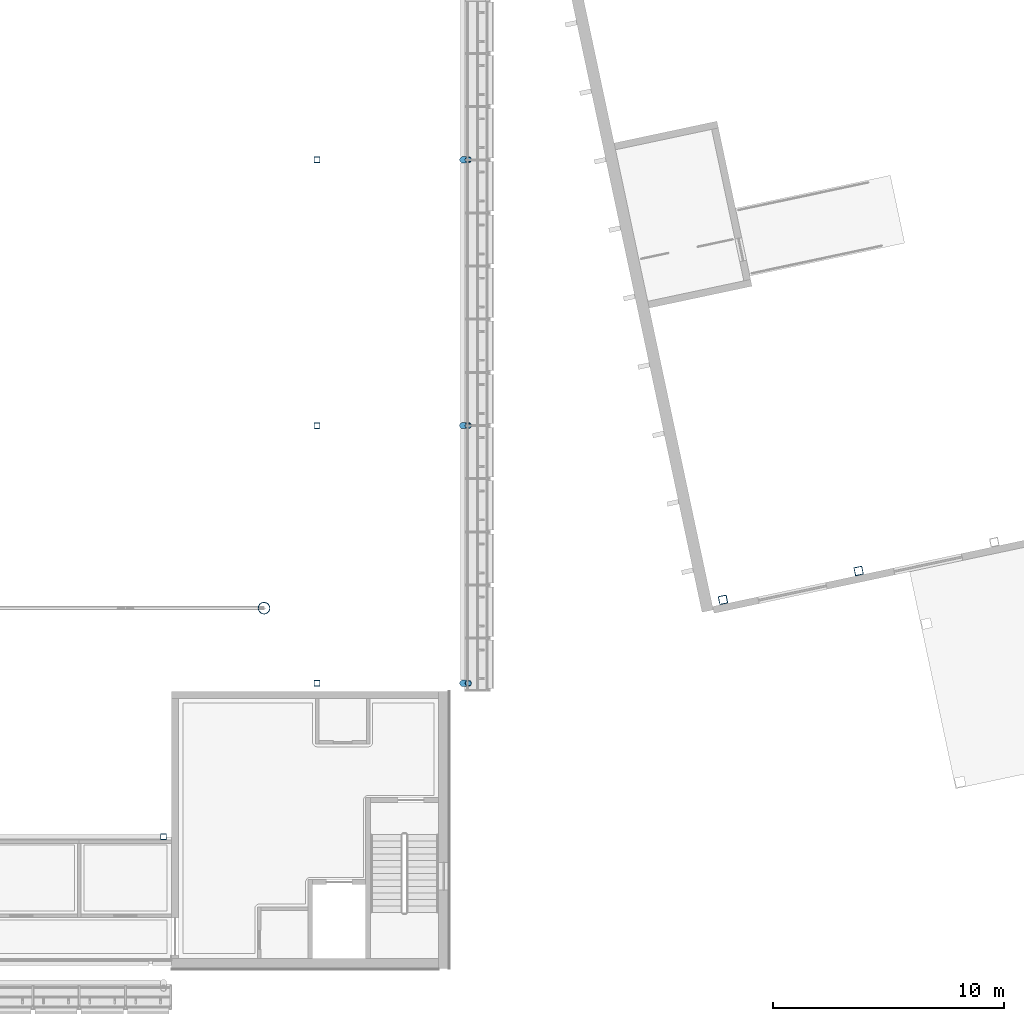
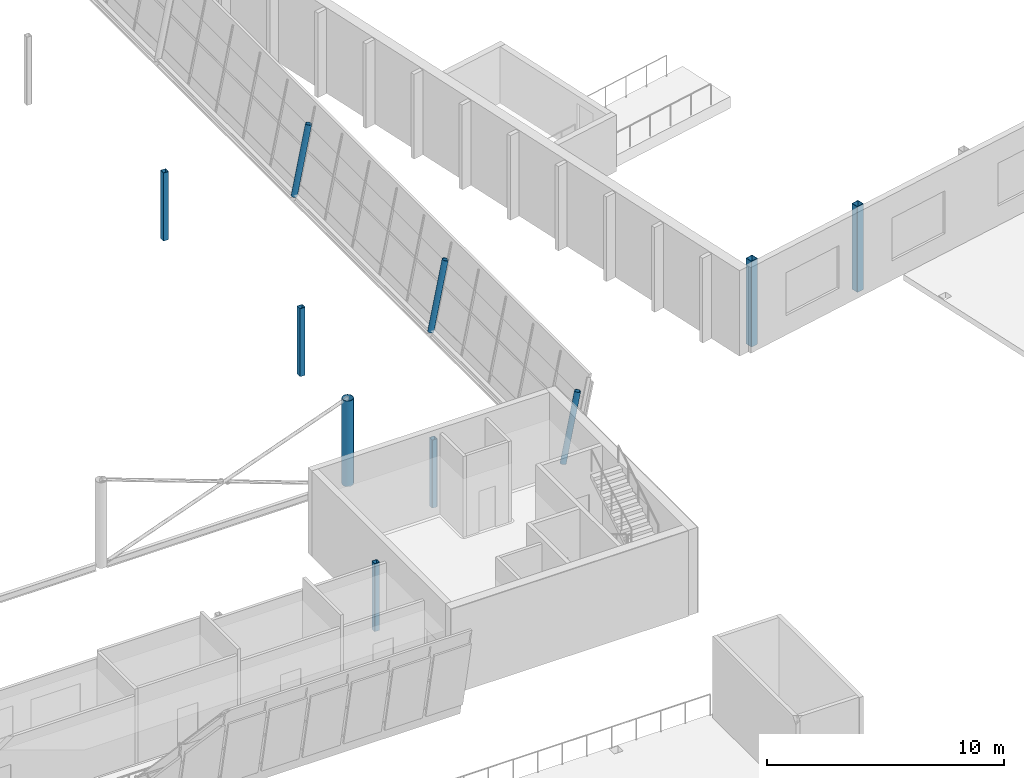
# One storey, part 12 of 95: 10 columns.
"""IFC4 building model written with IfcOpenShell, lengths in metres."""

from ifc_helpers import new_model, si_unit, direction, frame, origin, origin_2d, place, context, subcontext, project, spatial, hollow_rectangle, hollow_circle, extrude, material, material_profile, profile_set, type_object, element, save


model = new_model("IFC4")

# Units and contexts
model_context = context("Model", 3, precision=1e-05, world=origin(), true_north=direction((0.0, 1.0)))
body_context = subcontext(model_context, "Body", "Model", "MODEL_VIEW")
ifc_project = project(units=[si_unit("LENGTHUNIT", "METRE"), si_unit("AREAUNIT", "SQUARE_METRE"), si_unit("VOLUMEUNIT", "CUBIC_METRE"), si_unit("PLANEANGLEUNIT", "RADIAN"), si_unit("MASSUNIT", "GRAM", prefix="KILO")], contexts=[model_context])

# Site, building, storey
site_placement = place(None, origin())
site = spatial("IfcSite", under=ifc_project, at=site_placement, CompositionType="ELEMENT")
building_placement = place(site_placement, origin())
building = spatial("IfcBuilding", under=site, at=building_placement, Name="Windward Yard Aquatics Centre", CompositionType="ELEMENT")
storey_placement = place(building_placement, frame((0.0, 0.0, 9.39990234375)))
storey = spatial("IfcBuildingStorey", under=building, at=storey_placement, Name="L02", CompositionType="ELEMENT", Elevation=9.39990234375)

# Columns
ifc_material = material(Name="Steel ASTM A500 Gr C", Category="steel")
ifc_material_profile_1 = material_profile(ifc_material, hollow_rectangle(XDim=0.355712890625, YDim=0.355712890625, WallThickness=0.015869140625, InnerFilletRadius=0.008056640625, OuterFilletRadius=0.02392578125, at=origin_2d()), Name="HSS356X356X15.9")
ifc_profile_set_1 = profile_set([ifc_material_profile_1], Name="Steel ASTM A500 Gr C")
column_type_1 = type_object("IfcColumnType", Name="D column HSS356X356X15.9", PredefinedType="COLUMN", material=ifc_profile_set_1)
for number, where, z_axis, x_axis, name in (
    (1, (163.857177734375, 41.961669921875, 0.0), (0.0, 0.0, 1.0), (0.978147600734, 0.207911690818, 0.0), "D.COL.1.1.4"),
    (2, (169.72607421875, 43.208984375, 0.0), (0.0, 0.0, 1.0), (0.978147600734, 0.207911690818, 0.0), "D.COL.2.1.4"),
):
    element("IfcColumn", number, at=place(storey_placement, frame(where, z_axis=z_axis, x_axis=x_axis)), inside=storey, type_object=column_type_1, Name=name, PredefinedType="COLUMN", context=body_context, shape_type="SweptSolid", body=[
        extrude(hollow_rectangle(XDim=0.355712890625, YDim=0.355712890625, WallThickness=0.015869140625, InnerFilletRadius=0.008056640625, OuterFilletRadius=0.02392578125, at=origin_2d()), origin(), (0.0, 0.0, 1.0), 4.400146484375),
    ])
ifc_material_profile_2 = material_profile(ifc_material, hollow_circle(Radius=0.25390625, WallThickness=0.015869140625, at=origin_2d()), Name="HSS508X15.9")
ifc_profile_set_2 = profile_set([ifc_material_profile_2], Name="Steel ASTM A500 Gr C")
column_type_2 = type_object("IfcColumnType", Name="H arch column HSS508X15.9", PredefinedType="COLUMN", material=ifc_profile_set_2)
column_placement = place(storey_placement, frame((144.0, 41.60009765625, 0.0), z_axis=(0.0, 0.0, 1.0), x_axis=(1.0, 0.0, 0.0)))
element("IfcColumn", 3, at=column_placement, inside=storey, type_object=column_type_2, Name="H.AC.S8.L02", PredefinedType="COLUMN", context=body_context, shape_type="SweptSolid", body=[
    extrude(hollow_circle(Radius=0.25390625, WallThickness=0.015869140625, at=origin_2d()), origin(), (0.0, 0.0, 1.0), 4.400146484375),
])
ifc_material_profile_3 = material_profile(ifc_material, hollow_rectangle(XDim=0.25390625, YDim=0.25390625, WallThickness=0.015869140625, InnerFilletRadius=0.008056640625, OuterFilletRadius=0.02392578125, at=origin_2d()), Name="HSS254X254X15.9")
ifc_profile_set_3 = profile_set([ifc_material_profile_3], Name="Steel ASTM A500 Gr C")
column_type_3 = type_object("IfcColumnType", Name="H inner column HSS254X254X15.9", PredefinedType="COLUMN", material=ifc_profile_set_3)
for number, where, z_axis, x_axis, name in (
    (4, (139.64990234375, 31.709716796875, 0.0), (0.0, 0.0, 1.0), (1.0, 0.0, 0.0), "H.IC.S8.L02"),
    (5, (146.290283203125, 38.35009765625, 0.0), (0.0, 0.0, 1.0), (1.0, 0.0, 0.0), "H.IC.E1.L02"),
    (6, (146.290283203125, 49.5, 0.0), (0.0, 0.0, 1.0), (1.0, 0.0, 0.0), "H.IC.E2.L02"),
    (7, (146.290283203125, 61.0, 0.0), (0.0, 0.0, 1.0), (1.0, 0.0, 0.0), "H.IC.E3.L02"),
):
    element("IfcColumn", number, at=place(storey_placement, frame(where, z_axis=z_axis, x_axis=x_axis)), inside=storey, type_object=column_type_3, Name=name, PredefinedType="COLUMN", context=body_context, shape_type="SweptSolid", body=[
        extrude(hollow_rectangle(XDim=0.25390625, YDim=0.25390625, WallThickness=0.015869140625, InnerFilletRadius=0.008056640625, OuterFilletRadius=0.02392578125, at=origin_2d()), origin(), (0.0, 0.0, 1.0), 3.49609375),
    ])
ifc_material_profile_4 = material_profile(ifc_material, hollow_circle(Radius=0.136474609375, WallThickness=0.0126953125, at=origin_2d()), Name="HSS273.1X12.7")
ifc_profile_set_4 = profile_set([ifc_material_profile_4], Name="Steel ASTM A500 Gr C")
column_type_4 = type_object("IfcColumnType", Name="H tier 1 leg HSS273.1X12.7", PredefinedType="COLUMN", material=ifc_profile_set_4)
for number, where, z_axis, x_axis, name in (
    (8, (152.59521484375, 38.35009765625, 0.0), (0.19937762145, 0.0, 0.979922733722), (0.0, 1.0, 0.0), "H.TL.E1.T1B.L02"),
    (9, (152.59521484375, 49.5, 0.0), (0.19937762145, 0.0, 0.979922733722), (0.0, 1.0, 0.0), "H.TL.E2.T1B.L02"),
    (10, (152.59521484375, 61.0, 0.0), (0.19937762145, 0.0, 0.979922733722), (0.0, 1.0, 0.0), "H.TL.E3.T1B.L02"),
):
    element("IfcColumn", number, at=place(storey_placement, frame(where, z_axis=z_axis, x_axis=x_axis)), inside=storey, type_object=column_type_4, Name=name, PredefinedType="COLUMN", context=body_context, shape_type="SweptSolid", body=[
        extrude(hollow_circle(Radius=0.136474609375, WallThickness=0.0126953125, at=origin_2d()), origin(), (0.0, 0.0, 1.0), 3.5400390625),
    ])

save(model, "model.ifc")
